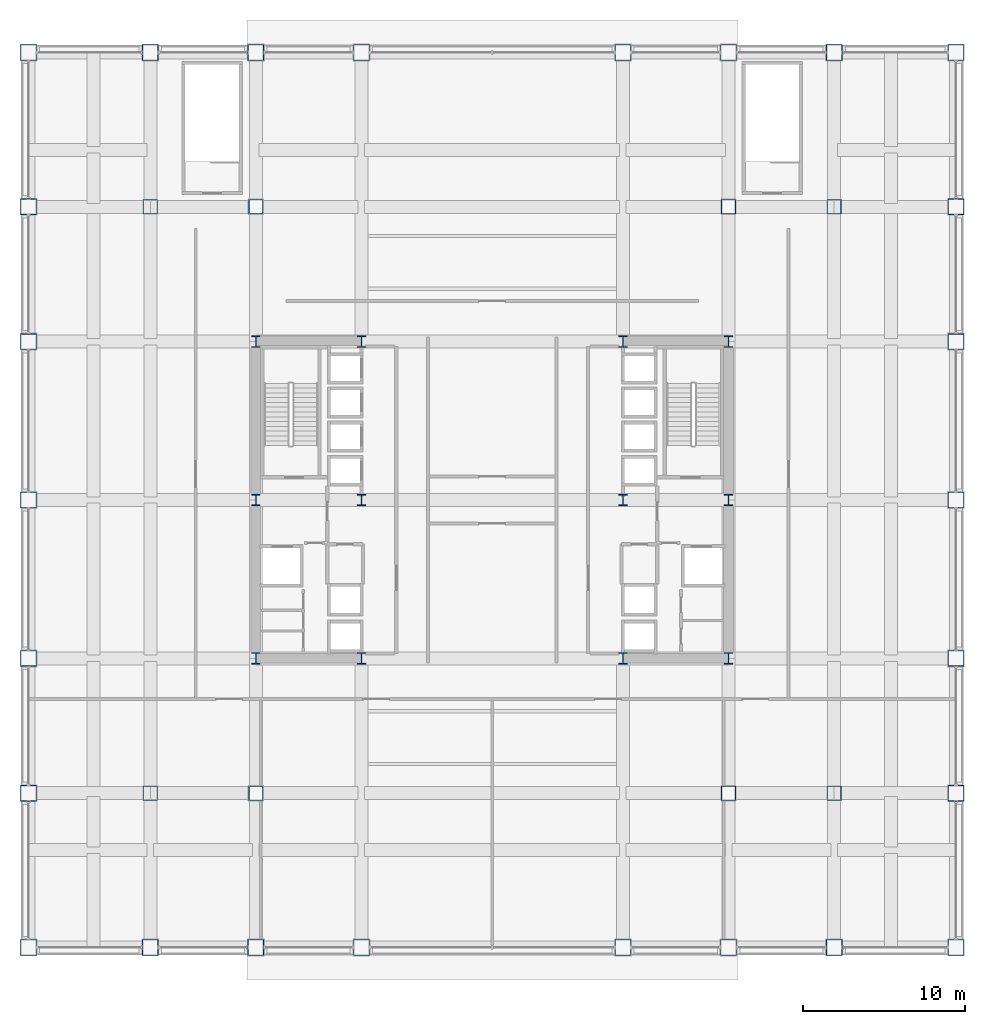
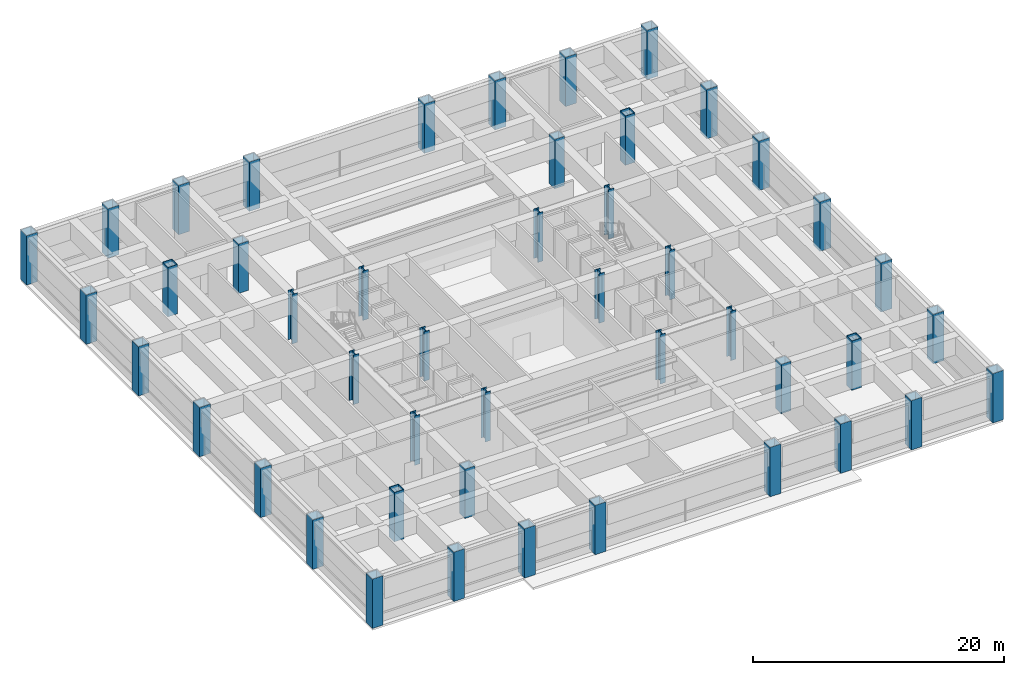
# One storey, part 1 of 30: 46 columns.
"""IFC4 building model written with IfcOpenShell, lengths in metres."""

from ifc_helpers import new_model, si_unit, direction, frame, origin, origin_2d, place, context, subcontext, project, spatial, hollow_rectangle, i_section, extrude, material, material_profile, profile_set, type_object, element, save


model = new_model("IFC4")

# Units and contexts
model_context = context("Model", 3, precision=1e-05, world=origin(), true_north=direction((0.0, 1.0)))
body_context = subcontext(model_context, "Body", "Model", "MODEL_VIEW")
ifc_project = project(units=[si_unit("LENGTHUNIT", "METRE"), si_unit("AREAUNIT", "SQUARE_METRE"), si_unit("VOLUMEUNIT", "CUBIC_METRE"), si_unit("PLANEANGLEUNIT", "RADIAN"), si_unit("MASSUNIT", "GRAM", prefix="KILO")], contexts=[model_context])

# Site, building, storey
site_placement = place(None, origin())
site = spatial("IfcSite", under=ifc_project, at=site_placement, CompositionType="ELEMENT")
building_placement = place(site_placement, origin())
building = spatial("IfcBuilding", under=site, at=building_placement, Name="Brelmoor Portico Tower", CompositionType="ELEMENT")
storey_placement = place(building_placement, frame((0.0, 0.0, 19.199951171875)))
storey = spatial("IfcBuildingStorey", under=building, at=storey_placement, Name="L04", CompositionType="ELEMENT", Elevation=19.199951171875)

# Columns
ifc_material_1 = material(Name="Steel Q420B", Category="steel")
ifc_material_profile_1 = material_profile(ifc_material_1, hollow_rectangle(XDim=1.0, YDim=1.0, WallThickness=0.050048828125, at=origin_2d()), Name="BOX 1000x1000x50")
ifc_profile_set_1 = profile_set([ifc_material_profile_1], Name="Steel Q420B")
column_type_1 = type_object("IfcColumnType", Name="COL-MEGA-1000", PredefinedType="COLUMN", material=ifc_profile_set_1)
for number, where, z_axis, x_axis, name in (
    (1, (-28.550048828125, -27.550048828125, 0.0), (0.0, 0.0, 1.0), (1.0, 0.0, 0.0), "L04 Perimeter Mega-Column PS01"),
    (2, (-21.050048828125, -27.550048828125, 0.0), (0.0, 0.0, 1.0), (1.0, 0.0, 0.0), "L04 Perimeter Mega-Column PS02"),
    (3, (-14.550048828125, -27.550048828125, 0.0), (0.0, 0.0, 1.0), (1.0, 0.0, 0.0), "L04 Perimeter Mega-Column PS03"),
    (4, (-8.050048828125, -27.550048828125, 0.0), (0.0, 0.0, 1.0), (1.0, 0.0, 0.0), "L04 Perimeter Mega-Column PS04"),
    (5, (8.050048828125, -27.550048828125, 0.0), (0.0, 0.0, 1.0), (1.0, 0.0, 0.0), "L04 Perimeter Mega-Column PS05"),
    (6, (14.550048828125, -27.550048828125, 0.0), (0.0, 0.0, 1.0), (1.0, 0.0, 0.0), "L04 Perimeter Mega-Column PS06"),
    (7, (21.050048828125, -27.550048828125, 0.0), (0.0, 0.0, 1.0), (1.0, 0.0, 0.0), "L04 Perimeter Mega-Column PS07"),
    (8, (28.550048828125, -27.550048828125, 0.0), (0.0, 0.0, 1.0), (1.0, 0.0, 0.0), "L04 Perimeter Mega-Column PS08"),
    (9, (-28.550048828125, 27.550048828125, 0.0), (0.0, 0.0, 1.0), (1.0, 0.0, 0.0), "L04 Perimeter Mega-Column PN09"),
    (10, (-21.050048828125, 27.550048828125, 0.0), (0.0, 0.0, 1.0), (1.0, 0.0, 0.0), "L04 Perimeter Mega-Column PN10"),
    (11, (-14.550048828125, 27.550048828125, 0.0), (0.0, 0.0, 1.0), (1.0, 0.0, 0.0), "L04 Perimeter Mega-Column PN11"),
    (12, (-8.050048828125, 27.550048828125, 0.0), (0.0, 0.0, 1.0), (1.0, 0.0, 0.0), "L04 Perimeter Mega-Column PN12"),
    (13, (8.050048828125, 27.550048828125, 0.0), (0.0, 0.0, 1.0), (1.0, 0.0, 0.0), "L04 Perimeter Mega-Column PN13"),
    (14, (14.550048828125, 27.550048828125, 0.0), (0.0, 0.0, 1.0), (1.0, 0.0, 0.0), "L04 Perimeter Mega-Column PN14"),
    (15, (21.050048828125, 27.550048828125, 0.0), (0.0, 0.0, 1.0), (1.0, 0.0, 0.0), "L04 Perimeter Mega-Column PN15"),
    (16, (28.550048828125, 27.550048828125, 0.0), (0.0, 0.0, 1.0), (1.0, 0.0, 0.0), "L04 Perimeter Mega-Column PN16"),
    (17, (-28.550048828125, -18.050048828125, 0.0), (0.0, 0.0, 1.0), (0.0, 1.0, 0.0), "L04 Perimeter Mega-Column PW17"),
    (18, (28.550048828125, -18.050048828125, 0.0), (0.0, 0.0, 1.0), (0.0, 1.0, 0.0), "L04 Perimeter Mega-Column PE18"),
    (19, (-28.550048828125, -9.75, 0.0), (0.0, 0.0, 1.0), (0.0, 1.0, 0.0), "L04 Perimeter Mega-Column PW19"),
    (20, (28.550048828125, -9.75, 0.0), (0.0, 0.0, 1.0), (0.0, 1.0, 0.0), "L04 Perimeter Mega-Column PE20"),
    (21, (-28.550048828125, 0.0, 0.0), (0.0, 0.0, 1.0), (0.0, 1.0, 0.0), "L04 Perimeter Mega-Column PW21"),
    (22, (28.550048828125, 0.0, 0.0), (0.0, 0.0, 1.0), (0.0, 1.0, 0.0), "L04 Perimeter Mega-Column PE22"),
    (23, (-28.550048828125, 9.75, 0.0), (0.0, 0.0, 1.0), (0.0, 1.0, 0.0), "L04 Perimeter Mega-Column PW23"),
    (24, (28.550048828125, 9.75, 0.0), (0.0, 0.0, 1.0), (0.0, 1.0, 0.0), "L04 Perimeter Mega-Column PE24"),
    (25, (-28.550048828125, 18.050048828125, 0.0), (0.0, 0.0, 1.0), (0.0, 1.0, 0.0), "L04 Perimeter Mega-Column PW25"),
    (26, (28.550048828125, 18.050048828125, 0.0), (0.0, 0.0, 1.0), (0.0, 1.0, 0.0), "L04 Perimeter Mega-Column PE26"),
):
    element("IfcColumn", number, at=place(storey_placement, frame(where, z_axis=z_axis, x_axis=x_axis)), inside=storey, type_object=column_type_1, Name=name, PredefinedType="COLUMN", context=body_context, shape_type="SweptSolid", body=[
        extrude(hollow_rectangle(XDim=1.0, YDim=1.0, WallThickness=0.050048828125, at=origin_2d()), origin(), (0.0, 0.0, 1.0), 4.800048828125),
    ])
ifc_material_2 = material(Name="Steel Q355B", Category="steel")
ifc_material_profile_2 = material_profile(ifc_material_2, hollow_rectangle(XDim=0.89990234375, YDim=0.89990234375, WallThickness=0.044921875, at=origin_2d()), Name="BOX 900x900x45")
ifc_profile_set_2 = profile_set([ifc_material_profile_2], Name="Steel Q355B")
column_type_2 = type_object("IfcColumnType", Name="COL-MEGA-900", PredefinedType="COLUMN", material=ifc_profile_set_2)
for number, where, z_axis, x_axis, name in (
    (27, (-21.050048828125, -18.050048828125, 0.0), (0.0, 0.0, 1.0), (1.0, 0.0, 0.0), "L04 Podium Pier Column PP-SW1"),
    (28, (-14.550048828125, -18.050048828125, 0.0), (0.0, 0.0, 1.0), (1.0, 0.0, 0.0), "L04 Podium Pier Column PP-SW2"),
    (29, (-21.050048828125, 18.050048828125, 0.0), (0.0, 0.0, 1.0), (1.0, 0.0, 0.0), "L04 Podium Pier Column PP-NW1"),
    (30, (-14.550048828125, 18.050048828125, 0.0), (0.0, 0.0, 1.0), (1.0, 0.0, 0.0), "L04 Podium Pier Column PP-NW2"),
    (31, (14.550048828125, -18.050048828125, 0.0), (0.0, 0.0, 1.0), (1.0, 0.0, 0.0), "L04 Podium Pier Column PP-SE1"),
    (32, (21.050048828125, -18.050048828125, 0.0), (0.0, 0.0, 1.0), (1.0, 0.0, 0.0), "L04 Podium Pier Column PP-SE2"),
    (33, (14.550048828125, 18.050048828125, 0.0), (0.0, 0.0, 1.0), (1.0, 0.0, 0.0), "L04 Podium Pier Column PP-NE1"),
    (34, (21.050048828125, 18.050048828125, 0.0), (0.0, 0.0, 1.0), (1.0, 0.0, 0.0), "L04 Podium Pier Column PP-NE2"),
):
    element("IfcColumn", number, at=place(storey_placement, frame(where, z_axis=z_axis, x_axis=x_axis)), inside=storey, type_object=column_type_2, Name=name, PredefinedType="COLUMN", context=body_context, shape_type="SweptSolid", body=[
        extrude(hollow_rectangle(XDim=0.89990234375, YDim=0.89990234375, WallThickness=0.044921875, at=origin_2d()), origin(), (0.0, 0.0, 1.0), 4.800048828125),
    ])
ifc_material_profile_3 = material_profile(ifc_material_1, i_section(OverallWidth=0.5, OverallDepth=0.699951171875, WebThickness=0.028076171875, FlangeThickness=0.044921875, at=origin_2d()), Name="HW 700x500x28x45")
ifc_profile_set_3 = profile_set([ifc_material_profile_3], Name="Steel Q420B")
column_type_3 = type_object("IfcColumnType", Name="COL-SPINE-700", PredefinedType="COLUMN", material=ifc_profile_set_3)
for number, where, z_axis, x_axis, name in (
    (35, (-14.550048828125, -9.75, 0.0), (0.0, 0.0, 1.0), (1.0, 0.0, 0.0), "L04 Core Spine Column CW-SW"),
    (36, (-14.550048828125, 0.0, 0.0), (0.0, 0.0, 1.0), (1.0, 0.0, 0.0), "L04 Core Spine Column CW-MW"),
    (37, (-14.550048828125, 9.75, 0.0), (0.0, 0.0, 1.0), (1.0, 0.0, 0.0), "L04 Core Spine Column CW-NW"),
    (38, (-8.050048828125, -9.75, 0.0), (0.0, 0.0, 1.0), (1.0, 0.0, 0.0), "L04 Core Spine Column CW-SE"),
    (39, (-8.050048828125, 0.0, 0.0), (0.0, 0.0, 1.0), (1.0, 0.0, 0.0), "L04 Core Spine Column CW-ME"),
    (40, (-8.050048828125, 9.75, 0.0), (0.0, 0.0, 1.0), (1.0, 0.0, 0.0), "L04 Core Spine Column CW-NE"),
    (41, (8.050048828125, -9.75, 0.0), (0.0, 0.0, 1.0), (1.0, 0.0, 0.0), "L04 Core Spine Column CE-SW"),
    (42, (8.050048828125, 0.0, 0.0), (0.0, 0.0, 1.0), (1.0, 0.0, 0.0), "L04 Core Spine Column CE-MW"),
    (43, (8.050048828125, 9.75, 0.0), (0.0, 0.0, 1.0), (1.0, 0.0, 0.0), "L04 Core Spine Column CE-NW"),
    (44, (14.550048828125, -9.75, 0.0), (0.0, 0.0, 1.0), (1.0, 0.0, 0.0), "L04 Core Spine Column CE-SE"),
    (45, (14.550048828125, 0.0, 0.0), (0.0, 0.0, 1.0), (1.0, 0.0, 0.0), "L04 Core Spine Column CE-ME"),
    (46, (14.550048828125, 9.75, 0.0), (0.0, 0.0, 1.0), (1.0, 0.0, 0.0), "L04 Core Spine Column CE-NE"),
):
    element("IfcColumn", number, at=place(storey_placement, frame(where, z_axis=z_axis, x_axis=x_axis)), inside=storey, type_object=column_type_3, Name=name, PredefinedType="COLUMN", context=body_context, shape_type="SweptSolid", body=[
        extrude(i_section(OverallWidth=0.5, OverallDepth=0.699951171875, WebThickness=0.028076171875, FlangeThickness=0.044921875, at=origin_2d()), origin(), (0.0, 0.0, 1.0), 4.800048828125),
    ])

save(model, "model.ifc")
